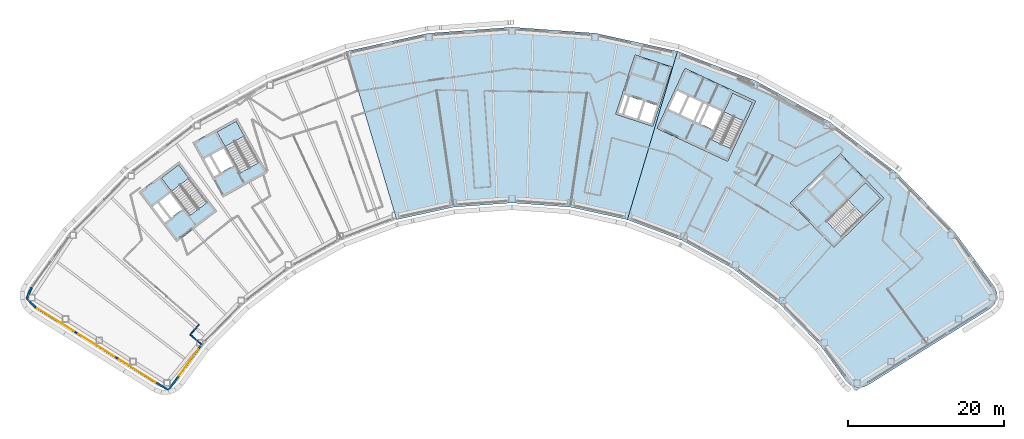
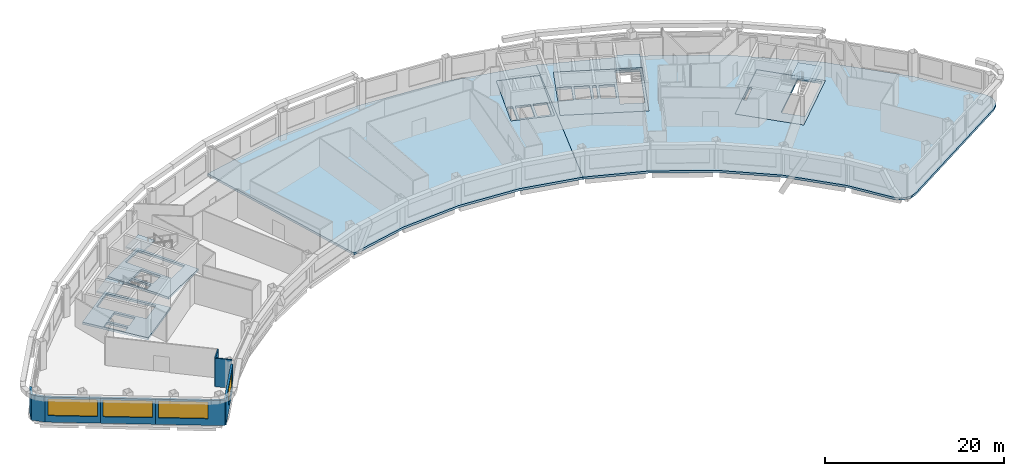
# One storey, part 4 of 13: 11 slabs, 8 walls, 4 windows, 4 openings, 4 elements without a shape of their own.
"""IFC4 building model written with IfcOpenShell, lengths in metres."""

from ifc_helpers import new_model, si_unit, direction, frame, frame_2d, origin, place, context, subcontext, project, spatial, polyline, rectangle, outline, extrude, material, layer, layer_set, type_object, element, fill, aggregate, save


model = new_model("IFC4")

# Units and contexts
model_context = context("Model", 3, precision=1e-05, world=origin(), true_north=direction((0.0, 1.0)))
body_context = subcontext(model_context, "Body", "Model", "MODEL_VIEW")
ifc_project = project(units=[si_unit("LENGTHUNIT", "METRE"), si_unit("AREAUNIT", "SQUARE_METRE"), si_unit("VOLUMEUNIT", "CUBIC_METRE"), si_unit("PLANEANGLEUNIT", "RADIAN"), si_unit("MASSUNIT", "GRAM", prefix="KILO")], contexts=[model_context])

# Site, building, storey
site_placement = place(None, origin())
site = spatial("IfcSite", under=ifc_project, at=site_placement, CompositionType="ELEMENT")
building_placement = place(site_placement, origin())
building = spatial("IfcBuilding", under=site, at=building_placement, Name="Tuul Gate Civic Tower", CompositionType="ELEMENT")
storey_placement = place(building_placement, frame((0.0, 0.0, 306.800048828125)))
storey = spatial("IfcBuildingStorey", under=building, at=storey_placement, Name="Level 69", CompositionType="ELEMENT", Elevation=306.800048828125)

# Slabs
ifc_material_1 = material(Name="Concrete C40/50", Category="concrete")
ifc_layer_1 = layer(ifc_material_1, 0.300048828125)
ifc_layer_set_1 = layer_set([ifc_layer_1], Name="Concrete C40/50")
slab_type_1 = type_object("IfcSlabType", Name="Core floor slab 300", PredefinedType="FLOOR", material=ifc_layer_set_1)
slab_1_placement = place(storey_placement, frame((0.0, 0.0, -0.300048828125)))
element("IfcSlab", 1, at=slab_1_placement, inside=storey, type_object=slab_type_1, Name="FLOOR SLAB", PredefinedType="FLOOR", context=body_context, shape_type="SweptSolid", body=[
    extrude(outline(polyline([(-31.10009765625, -13.7890625), (-35.946044921875, -7.423828125), (-41.11767578125, -11.361572265625), (-36.271484375, -17.726806640625), (-31.10009765625, -13.7890625)]), holes=[polyline([(-35.561767578125, -13.541259765625), (-37.1064453125, -11.512451171875), (-38.498779296875, -12.572509765625), (-36.9541015625, -14.6015625), (-35.561767578125, -13.541259765625)]), polyline([(-37.19287109375, -14.783203125), (-38.737548828125, -12.75439453125), (-39.45361328125, -13.299560546875), (-37.908935546875, -15.328369140625), (-37.19287109375, -14.783203125)]), polyline([(-32.33935546875, -12.65771484375), (-34.56591796875, -14.352783203125), (-38.229736328125, -9.54052734375), (-36.003173828125, -7.845458984375), (-32.33935546875, -12.65771484375)])]), origin(), (0.0, 0.0, 1.0), 0.300048828125),
])
slab_2_placement = place(storey_placement, frame((0.0, 0.0, -0.300048828125)))
element("IfcSlab", 2, at=slab_2_placement, inside=storey, type_object=slab_type_1, Name="FLOOR SLAB", PredefinedType="FLOOR", context=body_context, shape_type="SweptSolid", body=[
    extrude(outline(polyline([(-24.638916015625, -8.846923828125), (-28.51708984375, -1.849853515625), (-34.2021484375, -5.0009765625), (-30.32421875, -11.998046875), (-24.638916015625, -8.846923828125)]), holes=[polyline([(-29.0185546875, -7.958740234375), (-30.254638671875, -5.728515625), (-31.785400390625, -6.576904296875), (-30.54931640625, -8.80712890625), (-29.0185546875, -7.958740234375)]), polyline([(-30.8115234375, -8.95263671875), (-32.047607421875, -6.72216796875), (-32.8349609375, -7.158447265625), (-31.5986328125, -9.388916015625), (-30.8115234375, -8.95263671875)]), polyline([(-25.702392578125, -7.548828125), (-28.14990234375, -8.905517578125), (-31.08203125, -3.615234375), (-28.63427734375, -2.2587890625), (-25.702392578125, -7.548828125)])]), origin(), (0.0, 0.0, 1.0), 0.300048828125),
])
slab_3_placement = place(storey_placement, frame((0.0, 0.0, -0.300048828125)))
element("IfcSlab", 3, at=slab_3_placement, inside=storey, type_object=slab_type_1, Name="FLOOR SLAB", PredefinedType="FLOOR", context=body_context, shape_type="SweptSolid", body=[
    extrude(outline(polyline([(48.117919921875, -18.43310546875), (54.545166015625, -12.1328125), (48.945068359375, -6.419921875), (42.517822265625, -12.719970703125), (48.117919921875, -18.43310546875)]), holes=[polyline([(44.93896484375, -11.046875), (46.760009765625, -9.261962890625), (46.514892578125, -9.011962890625), (44.69384765625, -10.797119140625), (44.93896484375, -11.046875)]), polyline([(49.086181640625, -17.062744140625), (47.12744140625, -15.064208984375), (52.160888671875, -10.130126953125), (54.11962890625, -12.128662109375), (49.086181640625, -17.062744140625)])]), origin(), (0.0, 0.0, 1.0), 0.300048828125),
])
slab_4_placement = place(storey_placement, frame((0.0, 0.0, -0.300048828125)))
element("IfcSlab", 4, at=slab_4_placement, inside=storey, type_object=slab_type_1, Name="FLOOR SLAB", PredefinedType="FLOOR", context=body_context, shape_type="SweptSolid", body=[
    extrude(outline(polyline([(34.465087890625, -7.385986328125), (38.056884765625, 0.31787109375), (28.993896484375, 4.543701171875), (25.40185546875, -3.159912109375), (34.465087890625, -7.385986328125)]), holes=[polyline([(32.60888671875, -3.32080078125), (33.6865234375, -1.009765625), (32.1005859375, -0.27001953125), (31.02294921875, -2.581298828125), (32.60888671875, -3.32080078125)]), polyline([(30.0712890625, -2.137451171875), (31.14892578125, 0.173583984375), (29.562744140625, 0.9130859375), (28.4853515625, -1.39794921875), (30.0712890625, -2.137451171875)]), polyline([(30.751220703125, -2.454345703125), (31.82861328125, -0.143310546875), (31.4208984375, 0.046875), (30.34326171875, -2.264404296875), (30.751220703125, -2.454345703125)]), polyline([(28.21337890625, -1.27099609375), (29.291015625, 1.0400390625), (27.8408203125, 1.71630859375), (26.76318359375, -0.594970703125), (28.21337890625, -1.27099609375)]), polyline([(34.889892578125, -5.7626953125), (32.353759765625, -4.580078125), (35.120849609375, 1.354736328125), (37.6572265625, 0.17236328125), (34.889892578125, -5.7626953125)])]), origin(), (0.0, 0.0, 1.0), 0.300048828125),
])
ifc_material_2 = material(Name="Concrete C40/50", Category="concrete")
ifc_layer_2 = layer(ifc_material_2, 0.300048828125)
ifc_layer_set_2 = layer_set([ifc_layer_2], Name="Concrete C40/50")
slab_type_2 = type_object("IfcSlabType", Name="Core floor slab 300 non-bearing", PredefinedType="FLOOR", material=ifc_layer_set_2)
slab_5_placement = place(storey_placement, frame((0.0, 0.0, -0.300048828125)))
element("IfcSlab", 5, at=slab_5_placement, inside=storey, type_object=slab_type_2, Name="FLOOR SLAB", PredefinedType="FLOOR", context=body_context, shape_type="SweptSolid", body=[
    extrude(outline(polyline([(24.864990234375, -2.888916015625), (27.337890625, 4.71923828125), (22.58251953125, 6.264404296875), (20.109619140625, -1.343994140625), (24.864990234375, -2.888916015625)]), holes=[polyline([(24.67236328125, -2.510986328125), (25.414306640625, -0.228515625), (23.892578125, 0.265869140625), (23.150634765625, -2.0166015625), (24.67236328125, -2.510986328125)]), polyline([(22.865478515625, -1.923828125), (23.607177734375, 0.358642578125), (21.94287109375, 0.8994140625), (21.201171875, -1.383056640625), (22.865478515625, -1.923828125)]), polyline([(20.869384765625, -1.43310546875), (21.65771484375, 0.9921875), (21.0869140625, 1.177490234375), (20.298583984375, -1.24755859375), (20.869384765625, -1.43310546875)])]), origin(), (0.0, 0.0, 1.0), 0.300048828125),
])

# Stair, slab
ifc_material_3 = material(Name="Concrete C40/50", Category="concrete")
stair_type = type_object("IfcStairType", Name="Exit stair", PredefinedType="HALF_TURN_STAIR", material=ifc_material_3)
stair_1_placement = place(storey_placement, origin())
stair_1 = element("IfcStair", 6, at=stair_1_placement, inside=storey, type_object=stair_type, Name="Level 69 ST-1", PredefinedType="HALF_TURN_STAIR")
ifc_material_4 = material(Name="Concrete C40/50", Category="concrete")
ifc_layer_3 = layer(ifc_material_4, 0.199951171875)
ifc_layer_set_3 = layer_set([ifc_layer_3], Name="Concrete C40/50")
slab_type_3 = type_object("IfcSlabType", Name="Exit stair landing", PredefinedType="LANDING", material=ifc_layer_set_3)
slab_6_placement = place(storey_placement, frame((0.0, 0.0, 1.89990234375)))
slab_6 = element("IfcSlab", 7, at=slab_6_placement, type_object=slab_type_3, Name="ST-1 landing 1", PredefinedType="LANDING", context=body_context, shape_type="SweptSolid", body=[
    extrude(outline(polyline([(-34.699462890625, -9.554931640625), (-36.9287109375, -11.252197265625), (-38.23193359375, -9.540283203125), (-36.0029296875, -7.843017578125), (-34.699462890625, -9.554931640625)])), origin(), (0.0, 0.0, 1.0), 0.199951171875),
])
aggregate(stair_1, [slab_6])

stair_2_placement = place(storey_placement, origin())
stair_2 = element("IfcStair", 8, at=stair_2_placement, inside=storey, type_object=stair_type, Name="Level 69 ST-2", PredefinedType="HALF_TURN_STAIR")
slab_7_placement = place(storey_placement, frame((0.0, 0.0, 1.89990234375)))
slab_7 = element("IfcSlab", 9, at=slab_7_placement, type_object=slab_type_3, Name="ST-2 landing 1", PredefinedType="LANDING", context=body_context, shape_type="SweptSolid", body=[
    extrude(outline(polyline([(-27.5908203125, -4.138427734375), (-30.041015625, -5.49658203125), (-31.084228515625, -3.61474609375), (-28.6337890625, -2.256591796875), (-27.5908203125, -4.138427734375)])), origin(), (0.0, 0.0, 1.0), 0.199951171875),
])
aggregate(stair_2, [slab_7])

stair_3_placement = place(storey_placement, origin())
stair_3 = element("IfcStair", 10, at=stair_3_placement, inside=storey, type_object=stair_type, Name="Level 69 ST-3", PredefinedType="HALF_TURN_STAIR")
slab_8_placement = place(storey_placement, frame((0.0, 0.0, 1.89990234375)))
slab_8 = element("IfcSlab", 11, at=slab_8_placement, type_object=slab_type_3, Name="ST-3 landing 1", PredefinedType="LANDING", context=body_context, shape_type="SweptSolid", body=[
    extrude(outline(polyline([(51.871337890625, -14.3349609375), (49.91015625, -12.334228515625), (52.160888671875, -10.1279296875), (54.1220703125, -12.128662109375), (51.871337890625, -14.3349609375)])), origin(), (0.0, 0.0, 1.0), 0.199951171875),
])
aggregate(stair_3, [slab_8])

stair_4_placement = place(storey_placement, origin())
stair_4 = element("IfcStair", 12, at=stair_4_placement, inside=storey, type_object=stair_type, Name="Level 69 ST-4", PredefinedType="HALF_TURN_STAIR")
slab_9_placement = place(storey_placement, frame((0.0, 0.0, 1.89990234375)))
slab_9 = element("IfcSlab", 13, at=slab_9_placement, type_object=slab_type_3, Name="ST-4 landing 1", PredefinedType="LANDING", context=body_context, shape_type="SweptSolid", body=[
    extrude(outline(polyline([(36.538818359375, -2.230224609375), (33.999755859375, -1.046142578125), (35.1201171875, 1.35693359375), (37.659423828125, 0.173095703125), (36.538818359375, -2.230224609375)])), origin(), (0.0, 0.0, 1.0), 0.199951171875),
])
aggregate(stair_4, [slab_9])

# Slabs
ifc_material_5 = material(Name="Concrete C35/45", Category="concrete")
ifc_layer_4 = layer(ifc_material_5, 0.300048828125)
ifc_layer_set_4 = layer_set([ifc_layer_4], Name="Concrete C35/45")
slab_type_4 = type_object("IfcSlabType", Name="STR-FLOOR-SLAB-300", PredefinedType="FLOOR", material=ifc_layer_set_4)
slab_10_placement = place(storey_placement, frame((0.0, 0.0, -0.300048828125)))
element("IfcSlab", 14, at=slab_10_placement, inside=storey, type_object=slab_type_4, Name="Level 69/slab/M", PredefinedType="FLOOR", context=body_context, shape_type="SweptSolid", body=[
    extrude(outline(polyline([(21.60205078125, -14.883056640625), (28.035888671875, 6.739013671875), (17.52392578125, 9.054931640625), (6.7880859375, 9.8330078125), (-3.947998046875, 9.054931640625), (-14.4599609375, 6.739013671875), (-8.02587890625, -14.883056640625), (-0.697021484375, -13.26806640625), (6.7880859375, -12.72607421875), (14.27294921875, -13.26806640625), (21.60205078125, -14.883056640625)]), holes=[polyline([(20.110107421875, -1.343994140625), (22.58203125, 6.264892578125), (27.337890625, 4.719970703125), (24.864990234375, -2.888916015625), (20.110107421875, -1.343994140625)])]), origin(), (0.0, 0.0, 1.0), 0.300048828125),
])
slab_11_placement = place(storey_placement, frame((0.0, 0.0, -0.300048828125)))
element("IfcSlab", 15, at=slab_11_placement, inside=storey, type_object=slab_type_4, Name="Level 69/slab/E", PredefinedType="FLOOR", context=body_context, shape_type="SweptSolid", body=[
    extrude(outline(polyline([(51.719970703125, -36.427001953125), (52.4140625, -36.156005859375), (68.14404296875, -26.326904296875), (68.73388671875, -25.762939453125), (69.048095703125, -25.010009765625), (69.035888671875, -24.195068359375), (68.699951171875, -23.451904296875), (63.618896484375, -16.4951171875), (56.083984375, -8.80810546875), (47.51904296875, -2.287109375), (38.10498046875, 2.930908203125), (28.035888671875, 6.739013671875), (21.60205078125, -14.883056640625), (28.6220703125, -17.5380859375), (35.18603515625, -21.176025390625), (41.156982421875, -25.721923828125), (46.409912109375, -31.08203125), (49.739013671875, -35.639892578125), (50.282958984375, -36.14892578125), (50.97509765625, -36.424072265625), (51.719970703125, -36.427001953125)]), holes=[polyline([(48.117919921875, -18.43310546875), (42.51806640625, -12.719970703125), (48.945068359375, -6.419921875), (54.544921875, -12.133056640625), (48.117919921875, -18.43310546875)]), polyline([(25.402099609375, -3.159912109375), (28.993896484375, 4.5439453125), (38.056884765625, 0.318115234375), (34.465087890625, -7.385986328125), (25.402099609375, -3.159912109375)])]), origin(), (0.0, 0.0, 1.0), 0.300048828125),
])

# Walls
ifc_material_6 = material(Name="Gypsum board partition")
ifc_layer_5 = layer(ifc_material_6, 0.14990234375)
ifc_layer_set_5 = layer_set([ifc_layer_5], Name="Gypsum board partition")
wall_type_1 = type_object("IfcWallType", Name="Corridor wall P150", PredefinedType="PARTITIONING", material=ifc_layer_set_5)
wall_1_placement = place(storey_placement, frame((-34.52392578125, -29.6494140625, 0.0), z_axis=(0.0, 0.0, 1.0), x_axis=(0.762895600574, -0.646521695402, 0.0)))
element("IfcWall", 16, at=wall_1_placement, inside=storey, type_object=wall_type_1, Name="p066", PredefinedType="PARTITIONING", context=body_context, shape_type="SweptSolid", body=[
    extrude(rectangle(XDim=1.94482421875, YDim=0.14990234375, at=frame_2d((0.972412109375, 0.0))), origin(), (0.0, 0.0, 1.0), 3.89990234375),
])
wall_2_placement = place(storey_placement, frame((-34.52392578125, -29.6494140625, 0.0), z_axis=(0.0, 0.0, 1.0), x_axis=(0.65606659194, 0.754703005784, 0.0)))
element("IfcWall", 17, at=wall_2_placement, inside=storey, type_object=wall_type_1, Name="p067", PredefinedType="PARTITIONING", context=body_context, shape_type="SweptSolid", body=[
    extrude(rectangle(XDim=1.72509765625, YDim=0.14990234375, at=frame_2d((0.862548828125, 0.0))), origin(), (0.0, 0.0, 1.0), 3.89990234375),
])
ifc_material_7 = material(Name="Precast concrete C40/50", Category="concrete")
ifc_layer_6 = layer(ifc_material_7, 0.25)
ifc_layer_set_6 = layer_set([ifc_layer_6], Name="Precast concrete C40/50")
wall_type_2 = type_object("IfcWallType", Name="External wall", PredefinedType="STANDARD", material=ifc_layer_set_6)
wall_3_placement = place(storey_placement, frame((-54.88818359375, -23.591796875, 0.0), z_axis=(0.0, 0.0, 1.0), x_axis=(-0.413556849361, -0.910478298669, 0.0)))
element("IfcWall", 18, at=wall_3_placement, inside=storey, type_object=wall_type_2, Name="External wall", PredefinedType="STANDARD", context=body_context, shape_type="SweptSolid", body=[
    extrude(rectangle(XDim=1.56982421875, YDim=0.25, at=frame_2d((0.784912109375, 0.0))), origin(), (0.0, 0.0, 1.0), 3.449951171875),
])
wall_4_placement = place(storey_placement, frame((-55.537353515625, -25.02099609375, 0.0), z_axis=(0.0, 0.0, 1.0), x_axis=(0.721623018899, -0.692286225917, 0.0)))
element("IfcWall", 19, at=wall_4_placement, inside=storey, type_object=wall_type_2, Name="External wall", PredefinedType="STANDARD", context=body_context, shape_type="SweptSolid", body=[
    extrude(rectangle(XDim=1.57275390625, YDim=0.25, at=frame_2d((0.786376953125, 0.0))), origin(), (0.0, 0.0, 1.0), 3.449951171875),
])

# Wall, opening, window
wall_5_placement = place(storey_placement, frame((-54.4228515625, -26.093994140625, 0.0), z_axis=(0.0, 0.0, 1.0), x_axis=(0.848053758074, -0.529910203164, 0.0)))
wall_5 = element("IfcWall", 20, at=wall_5_placement, inside=storey, type_object=wall_type_2, Name="External wall", PredefinedType="STANDARD", context=body_context, shape_type="SweptSolid", body=[
    extrude(rectangle(XDim=6.182861328125, YDim=0.25, at=frame_2d((3.09130859375, 0.0))), origin(), (0.0, 0.0, 1.0), 3.449951171875),
])
opening_1_placement = place(wall_5_placement, frame((0.31640625, 0.0, 0.89990234375)))
opening_1 = element("IfcOpeningElement", 21, at=opening_1_placement, cuts=wall_5, Name="Opening W24", PredefinedType="OPENING", context=body_context, shape_type="SweptSolid", body=[
    extrude(rectangle(XDim=5.550048828125, YDim=2.300048828125, at=frame_2d((2.77490234375, 1.14990234375))), frame((0.0, 0.135009765625, 0.0), z_axis=(0.0, -1.0, 0.0), x_axis=(1.0, 0.0, 0.0)), (0.0, 0.0, 1.0), 0.27001953125),
])
ifc_material_8 = material(Name="Glass", Category="glass")
window_type_1 = type_object("IfcWindowType", Name="Window W24 5550 x 2300", PartitioningType="SINGLE_PANEL", PredefinedType="WINDOW", material=ifc_material_8)
window_1_placement = place(opening_1_placement, origin())
window_1 = element("IfcWindow", 22, at=window_1_placement, inside=storey, type_object=window_type_1, Name="Window", OverallHeight=2.300048828125, OverallWidth=5.550048828125, PartitioningType="SINGLE_PANEL", PredefinedType="WINDOW", context=body_context, shape_type="SweptSolid", body=[
    extrude(rectangle(XDim=5.550048828125, YDim=2.300048828125, at=frame_2d((2.77490234375, 1.14990234375))), frame((0.0, 0.030029296875, 0.0), z_axis=(0.0, -1.0, 0.0), x_axis=(1.0, 0.0, 0.0)), (0.0, 0.0, 1.0), 0.06005859375),
])
fill(opening_1, window_1)

wall_6_placement = place(storey_placement, frame((-49.179443359375, -29.370361328125, 0.0), z_axis=(0.0, 0.0, 1.0), x_axis=(0.848053758074, -0.529910203164, 0.0)))
wall_6 = element("IfcWall", 23, at=wall_6_placement, inside=storey, type_object=wall_type_2, Name="External wall", PredefinedType="STANDARD", context=body_context, shape_type="SweptSolid", body=[
    extrude(rectangle(XDim=6.182861328125, YDim=0.25, at=frame_2d((3.09130859375, 0.0))), origin(), (0.0, 0.0, 1.0), 3.449951171875),
])
opening_2_placement = place(wall_6_placement, frame((0.31640625, 0.0, 0.89990234375)))
opening_2 = element("IfcOpeningElement", 24, at=opening_2_placement, cuts=wall_6, Name="Opening W24", PredefinedType="OPENING", context=body_context, shape_type="SweptSolid", body=[
    extrude(rectangle(XDim=5.550048828125, YDim=2.300048828125, at=frame_2d((2.77490234375, 1.14990234375))), frame((0.0, 0.135009765625, 0.0), z_axis=(0.0, -1.0, 0.0), x_axis=(1.0, 0.0, 0.0)), (0.0, 0.0, 1.0), 0.27001953125),
])
window_2_placement = place(opening_2_placement, origin())
window_2 = element("IfcWindow", 25, at=window_2_placement, inside=storey, type_object=window_type_1, Name="Window", OverallHeight=2.300048828125, OverallWidth=5.550048828125, PartitioningType="SINGLE_PANEL", PredefinedType="WINDOW", context=body_context, shape_type="SweptSolid", body=[
    extrude(rectangle(XDim=5.550048828125, YDim=2.300048828125, at=frame_2d((2.77490234375, 1.14990234375))), frame((0.0, 0.030029296875, 0.0), z_axis=(0.0, -1.0, 0.0), x_axis=(1.0, 0.0, 0.0)), (0.0, 0.0, 1.0), 0.06005859375),
])
fill(opening_2, window_2)

wall_7_placement = place(storey_placement, frame((-43.93603515625, -32.646728515625, 0.0), z_axis=(0.0, 0.0, 1.0), x_axis=(0.848051131154, -0.529914407191, 0.0)))
wall_7 = element("IfcWall", 26, at=wall_7_placement, inside=storey, type_object=wall_type_2, Name="External wall", PredefinedType="STANDARD", context=body_context, shape_type="SweptSolid", body=[
    extrude(rectangle(XDim=7.788330078125, YDim=0.25, at=frame_2d((3.89404296875, 0.0))), origin(), (0.0, 0.0, 1.0), 3.449951171875),
])
opening_3_placement = place(wall_7_placement, frame((0.31640625, 0.0, 0.89990234375)))
opening_3 = element("IfcOpeningElement", 27, at=opening_3_placement, cuts=wall_7, Name="Opening W24", PredefinedType="OPENING", context=body_context, shape_type="SweptSolid", body=[
    extrude(rectangle(XDim=5.550048828125, YDim=2.300048828125, at=frame_2d((2.77490234375, 1.14990234375))), frame((0.0, 0.135009765625, 0.0), z_axis=(0.0, -1.0, 0.0), x_axis=(1.0, 0.0, 0.0)), (0.0, 0.0, 1.0), 0.27001953125),
])
window_3_placement = place(opening_3_placement, origin())
window_3 = element("IfcWindow", 28, at=window_3_placement, inside=storey, type_object=window_type_1, Name="Window", OverallHeight=2.300048828125, OverallWidth=5.550048828125, PartitioningType="SINGLE_PANEL", PredefinedType="WINDOW", context=body_context, shape_type="SweptSolid", body=[
    extrude(rectangle(XDim=5.550048828125, YDim=2.300048828125, at=frame_2d((2.77490234375, 1.14990234375))), frame((0.0, 0.030029296875, 0.0), z_axis=(0.0, -1.0, 0.0), x_axis=(1.0, 0.0, 0.0)), (0.0, 0.0, 1.0), 0.06005859375),
])
fill(opening_3, window_3)

wall_8_placement = place(storey_placement, frame((-37.3310546875, -36.77392578125, 0.0), z_axis=(0.0, 0.0, 1.0), x_axis=(0.589738966527, 0.807593927267, 0.0)))
wall_8 = element("IfcWall", 29, at=wall_8_placement, inside=storey, type_object=wall_type_2, Name="External wall", PredefinedType="STANDARD", context=body_context, shape_type="SweptSolid", body=[
    extrude(rectangle(XDim=7.034423828125, YDim=0.25, at=frame_2d((3.51708984375, 0.0))), origin(), (0.0, 0.0, 1.0), 3.449951171875),
])
opening_4_placement = place(wall_8_placement, frame((2.356689453125, 0.0, 0.89990234375)))
opening_4 = element("IfcOpeningElement", 30, at=opening_4_placement, cuts=wall_8, Name="Opening W25", PredefinedType="OPENING", context=body_context, shape_type="SweptSolid", body=[
    extrude(rectangle(XDim=4.14990234375, YDim=2.300048828125, at=frame_2d((2.074951171875, 1.14990234375))), frame((0.0, 0.135009765625, 0.0), z_axis=(0.0, -1.0, 0.0), x_axis=(1.0, 0.0, 0.0)), (0.0, 0.0, 1.0), 0.27001953125),
])
ifc_material_9 = material(Name="Glass", Category="glass")
window_type_2 = type_object("IfcWindowType", Name="Window W25 4150 x 2300", PartitioningType="SINGLE_PANEL", PredefinedType="WINDOW", material=ifc_material_9)
window_4_placement = place(opening_4_placement, origin())
window_4 = element("IfcWindow", 31, at=window_4_placement, inside=storey, type_object=window_type_2, Name="Window", OverallHeight=2.300048828125, OverallWidth=4.14990234375, PartitioningType="SINGLE_PANEL", PredefinedType="WINDOW", context=body_context, shape_type="SweptSolid", body=[
    extrude(rectangle(XDim=4.14990234375, YDim=2.300048828125, at=frame_2d((2.074951171875, 1.14990234375))), frame((0.0, 0.030029296875, 0.0), z_axis=(0.0, -1.0, 0.0), x_axis=(1.0, 0.0, 0.0)), (0.0, 0.0, 1.0), 0.06005859375),
])
fill(opening_4, window_4)

save(model, "model.ifc")
